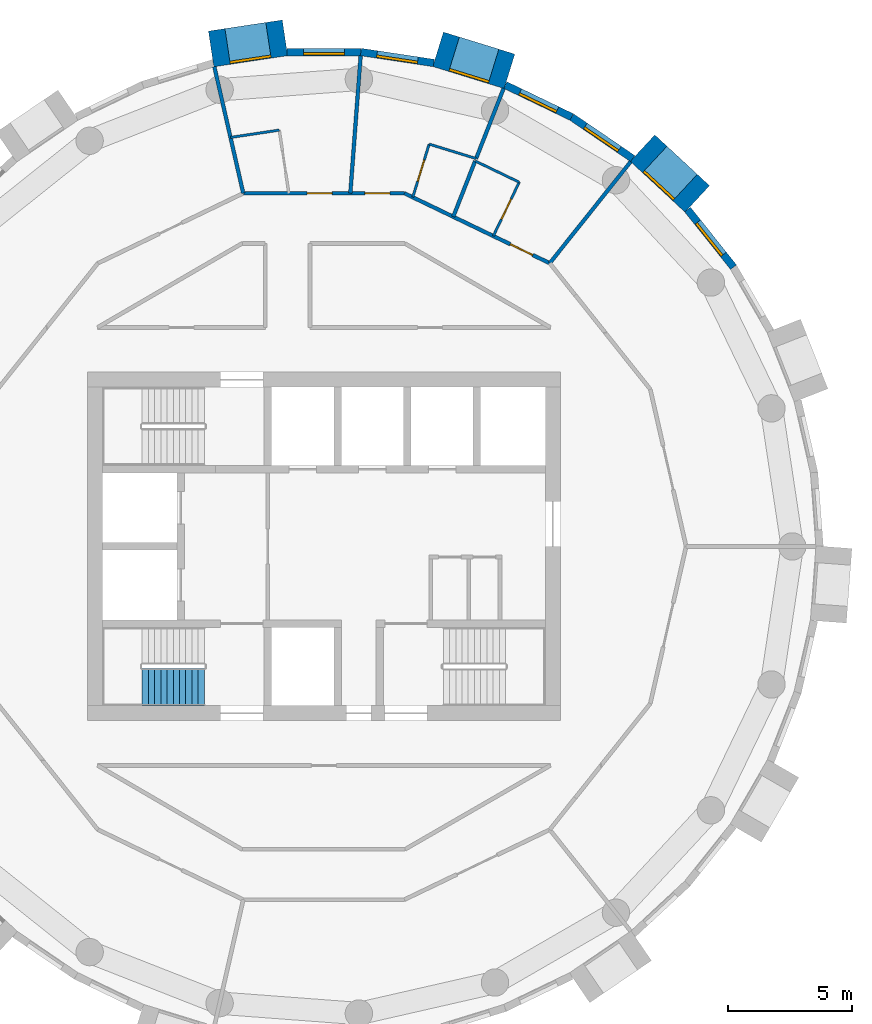
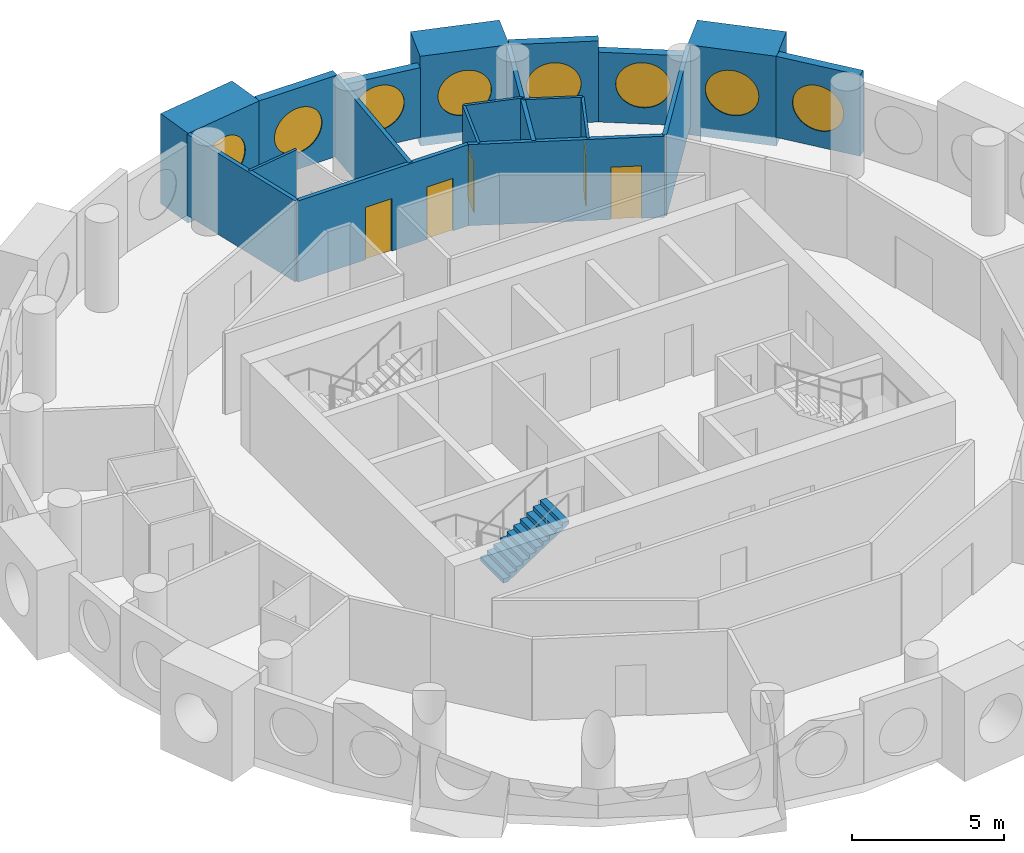
# One storey, part 10 of 12: 20 walls, 8 windows, 5 doors, 1 stair flight, 13 openings, 1 element without a shape of its own.
"""IFC4 building model written with IfcOpenShell, lengths in metres."""

from ifc_helpers import new_model, si_unit, direction, frame, frame_2d, origin, origin_2d, place, context, subcontext, project, spatial, polyline, rectangle, circle, outline, extrude, material, layer, layer_set, type_object, element, fill, aggregate, save


model = new_model("IFC4")

# Units and contexts
model_context = context("Model", 3, precision=1e-05, world=origin(), true_north=direction((0.0, 1.0)))
body_context = subcontext(model_context, "Body", "Model", "MODEL_VIEW")
ifc_project = project(units=[si_unit("LENGTHUNIT", "METRE"), si_unit("AREAUNIT", "SQUARE_METRE"), si_unit("VOLUMEUNIT", "CUBIC_METRE"), si_unit("PLANEANGLEUNIT", "RADIAN"), si_unit("MASSUNIT", "GRAM", prefix="KILO")], contexts=[model_context])

# Site, building, storey
site_placement = place(None, origin())
site = spatial("IfcSite", under=ifc_project, at=site_placement, CompositionType="ELEMENT")
building_placement = place(site_placement, origin())
building = spatial("IfcBuilding", under=site, at=building_placement, Name="Tracery Tower", CompositionType="ELEMENT")
storey_placement = place(building_placement, frame((0.0, 0.0, 249.0)))
storey = spatial("IfcBuildingStorey", under=building, at=storey_placement, Name="L64", CompositionType="ELEMENT", Elevation=249.0)

# Wall, opening, window
ifc_material_1 = material(Name="Precast concrete C50/60", Category="concrete")
ifc_layer_1 = layer(ifc_material_1, 1.449951171875)
ifc_layer_set_1 = layer_set([ifc_layer_1], Name="Deep-set bay unit 3000 x 3600, slab edge 350")
wall_type_1 = type_object("IfcWallType", Name="Deep-set bay unit 3000 x 3600, slab edge 350", PredefinedType="ELEMENTEDWALL", material=ifc_layer_set_1)
wall_1_placement = place(storey_placement, frame((15.0029296875, 13.964111328125, -0.35009765625), z_axis=(0.0, 0.0, 1.0), x_axis=(-0.733022439167, 0.680204457261, 0.0)))
wall_1 = element("IfcWall", 1, at=wall_1_placement, inside=storey, type_object=wall_type_1, Name="Deep-set bay unit 6 at L64", PredefinedType="ELEMENTEDWALL", context=body_context, shape_type="SweptSolid", body=[
    extrude(rectangle(XDim=2.999755859375, YDim=1.449951171875, at=frame_2d((1.5, 0.0))), origin(), (0.0, 0.0, 1.0), 3.60009765625),
])
opening_1_placement = place(wall_1_placement, frame((1.5, 0.0, 1.89990234375)))
opening_1 = element("IfcOpeningElement", 2, at=opening_1_placement, cuts=wall_1, Name="Opening WN1", PredefinedType="OPENING", context=body_context, shape_type="SweptSolid", body=[
    extrude(circle(Radius=0.9000244140625, at=origin_2d()), frame((0.0, 0.73486328125, 0.0), z_axis=(0.0, -1.0, 0.0), x_axis=(1.0, 0.0, 0.0)), (0.0, 0.0, 1.0), 1.469970703125),
])
ifc_material_2 = material(Name="Aluminium frame with tinted double glazing", Category="aluminium")
window_type = type_object("IfcWindowType", Name="Round window 1800", PartitioningType="SINGLE_PANEL", PredefinedType="WINDOW", material=ifc_material_2)
window_1_placement = place(opening_1_placement, origin())
window_1 = element("IfcWindow", 3, at=window_1_placement, inside=storey, type_object=window_type, Name="Round window 6 at L64", OverallHeight=1.800048828125, OverallWidth=1.800048828125, PartitioningType="SINGLE_PANEL", PredefinedType="WINDOW", context=body_context, shape_type="SweptSolid", body=[
    extrude(circle(Radius=0.9000244140625, at=origin_2d()), frame((0.0, 0.69482421875, 0.0), z_axis=(0.0, -1.0, 0.0), x_axis=(1.0, 0.0, 0.0)), (0.0, 0.0, 1.0), 0.10009765625),
])
fill(opening_1, window_1)

wall_2_placement = place(storey_placement, frame((7.45849609375, 19.0908203125, -0.35009765625), z_axis=(0.0, 0.0, 1.0), x_axis=(-0.955571139978, 0.294760574774, 0.0)))
wall_2 = element("IfcWall", 4, at=wall_2_placement, inside=storey, type_object=wall_type_1, Name="Deep-set bay unit 9 at L64", PredefinedType="ELEMENTEDWALL", context=body_context, shape_type="SweptSolid", body=[
    extrude(rectangle(XDim=3.0, YDim=1.449951171875, at=frame_2d((1.5, 0.0))), origin(), (0.0, 0.0, 1.0), 3.60009765625),
])
opening_2_placement = place(wall_2_placement, frame((1.5, 0.0, 1.89990234375)))
opening_2 = element("IfcOpeningElement", 5, at=opening_2_placement, cuts=wall_2, Name="Opening WN1", PredefinedType="OPENING", context=body_context, shape_type="SweptSolid", body=[
    extrude(circle(Radius=0.9000244140625, at=origin_2d()), frame((0.0, 0.73486328125, 0.0), z_axis=(0.0, -1.0, 0.0), x_axis=(1.0, 0.0, 0.0)), (0.0, 0.0, 1.0), 1.469970703125),
])
window_2_placement = place(opening_2_placement, origin())
window_2 = element("IfcWindow", 6, at=window_2_placement, inside=storey, type_object=window_type, Name="Round window 9 at L64", OverallHeight=1.800048828125, OverallWidth=1.800048828125, PartitioningType="SINGLE_PANEL", PredefinedType="WINDOW", context=body_context, shape_type="SweptSolid", body=[
    extrude(circle(Radius=0.9000244140625, at=origin_2d()), frame((0.0, 0.69482421875, 0.0), z_axis=(0.0, -1.0, 0.0), x_axis=(1.0, 0.0, 0.0)), (0.0, 0.0, 1.0), 0.10009765625),
])
fill(opening_2, window_2)

wall_3_placement = place(storey_placement, frame((-1.563232421875, 20.436279296875, -0.35009765625), z_axis=(0.0, 0.0, 1.0), x_axis=(-0.988836445254, -0.149004981587, 0.0)))
wall_3 = element("IfcWall", 7, at=wall_3_placement, inside=storey, type_object=wall_type_1, Name="Deep-set bay unit 12 at L64", PredefinedType="ELEMENTEDWALL", context=body_context, shape_type="SweptSolid", body=[
    extrude(rectangle(XDim=3.0, YDim=1.449951171875, at=frame_2d((1.5, 0.0))), origin(), (0.0, 0.0, 1.0), 3.60009765625),
])
opening_3_placement = place(wall_3_placement, frame((1.5, 0.0, 1.89990234375)))
opening_3 = element("IfcOpeningElement", 8, at=opening_3_placement, cuts=wall_3, Name="Opening WN1", PredefinedType="OPENING", context=body_context, shape_type="SweptSolid", body=[
    extrude(circle(Radius=0.9000244140625, at=origin_2d()), frame((0.0, 0.73486328125, 0.0), z_axis=(0.0, -1.0, 0.0), x_axis=(1.0, 0.0, 0.0)), (0.0, 0.0, 1.0), 1.469970703125),
])
window_3_placement = place(opening_3_placement, origin())
window_3 = element("IfcWindow", 9, at=window_3_placement, inside=storey, type_object=window_type, Name="Round window 12 at L64", OverallHeight=1.800048828125, OverallWidth=1.800048828125, PartitioningType="SINGLE_PANEL", PredefinedType="WINDOW", context=body_context, shape_type="SweptSolid", body=[
    extrude(circle(Radius=0.9000244140625, at=origin_2d()), frame((0.0, 0.69482421875, 0.0), z_axis=(0.0, -1.0, 0.0), x_axis=(1.0, 0.0, 0.0)), (0.0, 0.0, 1.0), 0.10009765625),
])
fill(opening_3, window_3)

ifc_material_3 = material(Name="Precast concrete C50/60", Category="concrete")
ifc_layer_2 = layer(ifc_material_3, 0.300048828125)
ifc_layer_set_2 = layer_set([ifc_layer_2], Name="Facade panel 3000 x 2800")
wall_type_2 = type_object("IfcWallType", Name="Facade panel 3000 x 2800", PredefinedType="SOLIDWALL", material=ifc_layer_set_2)
wall_4_placement = place(storey_placement, frame((12.408447265625, 15.583984375, 0.0), z_axis=(0.0, 0.0, 1.0), x_axis=(-0.826236061068, 0.563324037646, 0.0)))
wall_4 = element("IfcWall", 10, at=wall_4_placement, inside=storey, type_object=wall_type_2, Name="Facade panel 7 at L64", PredefinedType="SOLIDWALL", context=body_context, shape_type="SweptSolid", body=[
    extrude(rectangle(XDim=2.962158203125, YDim=0.300048828125, at=frame_2d((1.48095703125, 0.0))), origin(), (0.0, 0.0, 1.0), 2.800048828125),
])
opening_4_placement = place(wall_4_placement, frame((1.48095703125, 0.0, 1.5498046875)))
opening_4 = element("IfcOpeningElement", 11, at=opening_4_placement, cuts=wall_4, Name="Opening WN1", PredefinedType="OPENING", context=body_context, shape_type="SweptSolid", body=[
    extrude(circle(Radius=0.9000244140625, at=origin_2d()), frame((0.0, 0.159912109375, 0.0), z_axis=(0.0, -1.0, 0.0), x_axis=(1.0, 0.0, 0.0)), (0.0, 0.0, 1.0), 0.320068359375),
])
window_4_placement = place(opening_4_placement, origin())
window_4 = element("IfcWindow", 12, at=window_4_placement, inside=storey, type_object=window_type, Name="Round window 7 at L64", OverallHeight=1.800048828125, OverallWidth=1.800048828125, PartitioningType="SINGLE_PANEL", PredefinedType="WINDOW", context=body_context, shape_type="SweptSolid", body=[
    extrude(circle(Radius=0.9000244140625, at=origin_2d()), frame((0.0, 0.1201171875, 0.0), z_axis=(0.0, -1.0, 0.0), x_axis=(1.0, 0.0, 0.0)), (0.0, 0.0, 1.0), 0.10009765625),
])
fill(opening_4, window_4)

wall_5_placement = place(storey_placement, frame((4.41796875, 19.424560546875, 0.0), z_axis=(0.0, 0.0, 1.0), x_axis=(-0.988835775663, 0.149009425104, 0.0)))
wall_5 = element("IfcWall", 13, at=wall_5_placement, inside=storey, type_object=wall_type_2, Name="Facade panel 10 at L64", PredefinedType="SOLIDWALL", context=body_context, shape_type="SweptSolid", body=[
    extrude(rectangle(XDim=2.962158203125, YDim=0.300048828125, at=frame_2d((1.48095703125, 0.0))), origin(), (0.0, 0.0, 1.0), 2.800048828125),
])
opening_5_placement = place(wall_5_placement, frame((1.48095703125, 0.0, 1.5498046875)))
opening_5 = element("IfcOpeningElement", 14, at=opening_5_placement, cuts=wall_5, Name="Opening WN1", PredefinedType="OPENING", context=body_context, shape_type="SweptSolid", body=[
    extrude(circle(Radius=0.9000244140625, at=origin_2d()), frame((0.0, 0.159912109375, 0.0), z_axis=(0.0, -1.0, 0.0), x_axis=(1.0, 0.0, 0.0)), (0.0, 0.0, 1.0), 0.320068359375),
])
window_5_placement = place(opening_5_placement, origin())
window_5 = element("IfcWindow", 15, at=window_5_placement, inside=storey, type_object=window_type, Name="Round window 10 at L64", OverallHeight=1.800048828125, OverallWidth=1.800048828125, PartitioningType="SINGLE_PANEL", PredefinedType="WINDOW", context=body_context, shape_type="SweptSolid", body=[
    extrude(circle(Radius=0.9000244140625, at=origin_2d()), frame((0.0, 0.1201171875, 0.0), z_axis=(0.0, -1.0, 0.0), x_axis=(1.0, 0.0, 0.0)), (0.0, 0.0, 1.0), 0.10009765625),
])
fill(opening_5, window_5)

ifc_material_4 = material(Name="Precast concrete C50/60", Category="concrete")
ifc_layer_3 = layer(ifc_material_4, 0.300048828125)
ifc_layer_set_3 = layer_set([ifc_layer_3], Name="Facade panel 3000 x 3250")
wall_type_3 = type_object("IfcWallType", Name="Facade panel 3000 x 3250", PredefinedType="SOLIDWALL", material=ifc_layer_set_3)
wall_6_placement = place(storey_placement, frame((16.460205078125, 11.222412109375, 0.0), z_axis=(0.0, 0.0, 1.0), x_axis=(-0.623498236992, 0.781824755599, 0.0)))
wall_6 = element("IfcWall", 16, at=wall_6_placement, inside=storey, type_object=wall_type_3, Name="Facade panel 5 at L64", PredefinedType="SOLIDWALL", context=body_context, shape_type="SweptSolid", body=[
    extrude(rectangle(XDim=2.962158203125, YDim=0.300048828125, at=frame_2d((1.48095703125, 0.0))), origin(), (0.0, 0.0, 1.0), 3.25),
])
opening_6_placement = place(wall_6_placement, frame((1.48095703125, 0.0, 1.5498046875)))
opening_6 = element("IfcOpeningElement", 17, at=opening_6_placement, cuts=wall_6, Name="Opening WN1", PredefinedType="OPENING", context=body_context, shape_type="SweptSolid", body=[
    extrude(circle(Radius=0.9000244140625, at=origin_2d()), frame((0.0, 0.159912109375, 0.0), z_axis=(0.0, -1.0, 0.0), x_axis=(1.0, 0.0, 0.0)), (0.0, 0.0, 1.0), 0.320068359375),
])
window_6_placement = place(opening_6_placement, origin())
window_6 = element("IfcWindow", 18, at=window_6_placement, inside=storey, type_object=window_type, Name="Round window 5 at L64", OverallHeight=1.800048828125, OverallWidth=1.800048828125, PartitioningType="SINGLE_PANEL", PredefinedType="WINDOW", context=body_context, shape_type="SweptSolid", body=[
    extrude(circle(Radius=0.9000244140625, at=origin_2d()), frame((0.0, 0.1201171875, 0.0), z_axis=(0.0, -1.0, 0.0), x_axis=(1.0, 0.0, 0.0)), (0.0, 0.0, 1.0), 0.10009765625),
])
fill(opening_6, window_6)

wall_7_placement = place(storey_placement, frame((9.9609375, 17.252685546875, 0.0), z_axis=(0.0, 0.0, 1.0), x_axis=(-0.90095513435, 0.433912255978, 0.0)))
wall_7 = element("IfcWall", 19, at=wall_7_placement, inside=storey, type_object=wall_type_3, Name="Facade panel 8 at L64", PredefinedType="SOLIDWALL", context=body_context, shape_type="SweptSolid", body=[
    extrude(rectangle(XDim=2.96240234375, YDim=0.300048828125, at=frame_2d((1.481201171875, 0.0))), origin(), (0.0, 0.0, 1.0), 3.25),
])
opening_7_placement = place(wall_7_placement, frame((1.48095703125, 0.0, 1.5498046875)))
opening_7 = element("IfcOpeningElement", 20, at=opening_7_placement, cuts=wall_7, Name="Opening WN1", PredefinedType="OPENING", context=body_context, shape_type="SweptSolid", body=[
    extrude(circle(Radius=0.9000244140625, at=origin_2d()), frame((0.0, 0.159912109375, 0.0), z_axis=(0.0, -1.0, 0.0), x_axis=(1.0, 0.0, 0.0)), (0.0, 0.0, 1.0), 0.320068359375),
])
window_7_placement = place(opening_7_placement, origin())
window_7 = element("IfcWindow", 21, at=window_7_placement, inside=storey, type_object=window_type, Name="Round window 8 at L64", OverallHeight=1.800048828125, OverallWidth=1.800048828125, PartitioningType="SINGLE_PANEL", PredefinedType="WINDOW", context=body_context, shape_type="SweptSolid", body=[
    extrude(circle(Radius=0.9000244140625, at=origin_2d()), frame((0.0, 0.1201171875, 0.0), z_axis=(0.0, -1.0, 0.0), x_axis=(1.0, 0.0, 0.0)), (0.0, 0.0, 1.0), 0.10009765625),
])
fill(opening_7, window_7)

wall_8_placement = place(storey_placement, frame((1.48876953125, 19.865966796875, 0.0), z_axis=(0.0, 0.0, 1.0), x_axis=(-1.0, 0.0, 0.0)))
wall_8 = element("IfcWall", 22, at=wall_8_placement, inside=storey, type_object=wall_type_3, Name="Facade panel 11 at L64", PredefinedType="SOLIDWALL", context=body_context, shape_type="SweptSolid", body=[
    extrude(rectangle(XDim=2.962158203125, YDim=0.300048828125, at=frame_2d((1.48095703125, 0.0))), origin(), (0.0, 0.0, 1.0), 3.25),
])
opening_8_placement = place(wall_8_placement, frame((1.48095703125, 0.0, 1.5498046875)))
opening_8 = element("IfcOpeningElement", 23, at=opening_8_placement, cuts=wall_8, Name="Opening WN1", PredefinedType="OPENING", context=body_context, shape_type="SweptSolid", body=[
    extrude(circle(Radius=0.9000244140625, at=origin_2d()), frame((0.0, 0.159912109375, 0.0), z_axis=(0.0, -1.0, 0.0), x_axis=(1.0, 0.0, 0.0)), (0.0, 0.0, 1.0), 0.320068359375),
])
window_8_placement = place(opening_8_placement, origin())
window_8 = element("IfcWindow", 24, at=window_8_placement, inside=storey, type_object=window_type, Name="Round window 11 at L64", OverallHeight=1.800048828125, OverallWidth=1.800048828125, PartitioningType="SINGLE_PANEL", PredefinedType="WINDOW", context=body_context, shape_type="SweptSolid", body=[
    extrude(circle(Radius=0.9000244140625, at=origin_2d()), frame((0.0, 0.1201171875, 0.0), z_axis=(0.0, -1.0, 0.0), x_axis=(1.0, 0.0, 0.0)), (0.0, 0.0, 1.0), 0.10009765625),
])
fill(opening_8, window_8)

# Wall, opening, door
ifc_material_5 = material(Name="Plasterboard on steel studs", Category="steel")
ifc_layer_4 = layer(ifc_material_5, 0.10009765625)
ifc_layer_set_4 = layer_set([ifc_layer_4], Name="Partition 100 wet wall")
wall_type_4 = type_object("IfcWallType", Name="Partition 100 wet wall", PredefinedType="PARTITIONING", material=ifc_layer_set_4)
wall_9_placement = place(storey_placement, frame((6.80908203125, 12.472900390625, 0.0), z_axis=(0.0, 0.0, 1.0), x_axis=(0.433815618773, 0.901001669759, 0.0)))
wall_9 = element("IfcWall", 25, at=wall_9_placement, inside=storey, type_object=wall_type_4, Name="Wet wall RC2-045", PredefinedType="PARTITIONING", context=body_context, shape_type="SweptSolid", body=[
    extrude(rectangle(XDim=2.399658203125, YDim=0.10009765625, at=frame_2d((1.19970703125, 0.0))), origin(), (0.0, 0.0, 1.0), 3.25),
])
opening_9_placement = place(wall_9_placement, frame((0.75, 0.0, 0.0)))
opening_9 = element("IfcOpeningElement", 26, at=opening_9_placement, cuts=wall_9, Name="Opening RC2-05", PredefinedType="OPENING", context=body_context, shape_type="SweptSolid", body=[
    extrude(rectangle(XDim=0.89990234375, YDim=2.0400390625, at=frame_2d((0.449951171875, 1.02001953125))), frame((0.0, 0.050048828125, 0.0), z_axis=(0.0, -1.0, 0.0), x_axis=(1.0, 0.0, 0.0)), (0.0, 0.0, 1.0), 0.10009765625),
])
ifc_material_6 = material(Name="Timber door leaf", Category="wood")
door_type_1 = type_object("IfcDoorType", Name="Door en-suite 900", OperationType="NOTDEFINED", PredefinedType="DOOR", material=ifc_material_6)
door_1_placement = place(opening_9_placement, origin())
door_1 = element("IfcDoor", 27, at=door_1_placement, inside=storey, type_object=door_type_1, Name="En-suite door RC2-05", OperationType="SINGLE_SWING_RIGHT", OverallHeight=2.0400390625, OverallWidth=0.89990234375, PredefinedType="DOOR", context=body_context, shape_type="SweptSolid", body=[
    extrude(rectangle(XDim=0.89990234375, YDim=2.0400390625, at=frame_2d((0.449951171875, 1.02001953125))), frame((0.0, 0.02490234375, 0.0), z_axis=(0.0, -1.0, 0.0), x_axis=(1.0, 0.0, 0.0)), (0.0, 0.0, 1.0), 0.050048828125),
])
fill(opening_9, door_1)

# Walls
wall_10_placement = place(storey_placement, frame((6.0791015625, 15.488037109375, 0.0), z_axis=(0.0, 0.0, 1.0), x_axis=(0.900936932599, -0.433950047216, 0.0)))
element("IfcWall", 28, at=wall_10_placement, inside=storey, type_object=wall_type_4, Name="Wet wall RC2-046", PredefinedType="PARTITIONING", context=body_context, shape_type="SweptSolid", body=[
    extrude(rectangle(XDim=1.9658203125, YDim=0.10009765625, at=frame_2d((0.98291015625, 0.0))), origin(), (0.0, 0.0, 1.0), 3.25),
])
wall_11_placement = place(storey_placement, frame((4.23095703125, 16.166015625, 0.0), z_axis=(0.0, 0.0, 1.0), x_axis=(0.955671951668, -0.294433559219, 0.0)))
element("IfcWall", 29, at=wall_11_placement, inside=storey, type_object=wall_type_4, Name="Wet wall RC2-049", PredefinedType="PARTITIONING", context=body_context, shape_type="SweptSolid", body=[
    extrude(rectangle(XDim=1.973388671875, YDim=0.10009765625, at=frame_2d((0.98681640625, 0.0))), origin(), (0.0, 0.0, 1.0), 3.25),
])

# Wall, opening, door
wall_12_placement = place(storey_placement, frame((3.572021484375, 14.031982421875, 0.0), z_axis=(0.0, 0.0, 1.0), x_axis=(0.295030507093, 0.955487833457, 0.0)))
wall_12 = element("IfcWall", 30, at=wall_12_placement, inside=storey, type_object=wall_type_4, Name="Wet wall RC2-050", PredefinedType="PARTITIONING", context=body_context, shape_type="SweptSolid", body=[
    extrude(rectangle(XDim=2.2333984375, YDim=0.10009765625, at=frame_2d((1.11669921875, 0.0))), origin(), (0.0, 0.0, 1.0), 3.25),
])
opening_10_placement = place(wall_12_placement, frame((0.66650390625, 0.0, 0.0)))
opening_10 = element("IfcOpeningElement", 31, at=opening_10_placement, cuts=wall_12, Name="Opening RC2-07", PredefinedType="OPENING", context=body_context, shape_type="SweptSolid", body=[
    extrude(rectangle(XDim=0.89990234375, YDim=2.0400390625, at=frame_2d((0.449951171875, 1.02001953125))), frame((0.0, 0.050048828125, 0.0), z_axis=(0.0, -1.0, 0.0), x_axis=(1.0, 0.0, 0.0)), (0.0, 0.0, 1.0), 0.10009765625),
])
door_2_placement = place(opening_10_placement, origin())
door_2 = element("IfcDoor", 32, at=door_2_placement, inside=storey, type_object=door_type_1, Name="En-suite door RC2-07", OperationType="SINGLE_SWING_RIGHT", OverallHeight=2.0400390625, OverallWidth=0.89990234375, PredefinedType="DOOR", context=body_context, shape_type="SweptSolid", body=[
    extrude(rectangle(XDim=0.89990234375, YDim=2.0400390625, at=frame_2d((0.449951171875, 1.02001953125))), frame((0.0, 0.02490234375, 0.0), z_axis=(0.0, -1.0, 0.0), x_axis=(1.0, 0.0, 0.0)), (0.0, 0.0, 1.0), 0.050048828125),
])
fill(opening_10, door_2)

# Walls
wall_13_placement = place(storey_placement, frame((-3.7509765625, 16.43408203125, 0.0), z_axis=(0.0, 0.0, 1.0), x_axis=(0.988867580828, 0.148798210967, 0.0)))
element("IfcWall", 33, at=wall_13_placement, inside=storey, type_object=wall_type_4, Name="Wet wall RC2-053", PredefinedType="PARTITIONING", context=body_context, shape_type="SweptSolid", body=[
    extrude(rectangle(XDim=1.98193359375, YDim=0.10009765625, at=frame_2d((0.990966796875, 0.0))), origin(), (0.0, 0.0, 1.0), 3.25),
])
ifc_material_7 = material(Name="Plasterboard on steel studs", Category="steel")
ifc_layer_5 = layer(ifc_material_7, 0.14990234375)
ifc_layer_set_5 = layer_set([ifc_layer_5], Name="Partition 150 acoustic unit wall")
wall_type_5 = type_object("IfcWallType", Name="Partition 150 acoustic unit wall", PredefinedType="PARTITIONING", material=ifc_layer_set_5)
wall_14_placement = place(storey_placement, frame((9.075927734375, 11.381103515625, 0.0), z_axis=(0.0, 0.0, 1.0), x_axis=(0.623460949534, 0.781854490558, 0.0)))
element("IfcWall", 34, at=wall_14_placement, inside=storey, type_object=wall_type_5, Name="Unit wall RC2-043", PredefinedType="PARTITIONING", context=body_context, shape_type="SweptSolid", body=[
    extrude(rectangle(XDim=5.21435546875, YDim=0.14990234375, at=frame_2d((2.607177734375, 0.0))), origin(), (0.0, 0.0, 1.0), 3.25),
])
wall_15_placement = place(storey_placement, frame((6.115966796875, 15.5810546875, 0.0), z_axis=(0.0, 0.0, 1.0), x_axis=(0.364942529397, 0.931030047978, 0.0)))
element("IfcWall", 35, at=wall_15_placement, inside=storey, type_object=wall_type_5, Name="Unit wall RC2-047", PredefinedType="PARTITIONING", context=body_context, shape_type="SweptSolid", body=[
    extrude(rectangle(XDim=3.033203125, YDim=0.14990234375, at=frame_2d((1.5166015625, 0.0))), origin(), (0.0, 0.0, 1.0), 3.25),
])
wall_16_placement = place(storey_placement, frame((5.198974609375, 13.248046875, 0.0), z_axis=(0.0, 0.0, 1.0), x_axis=(0.365699450144, 0.930732997247, 0.0)))
element("IfcWall", 36, at=wall_16_placement, inside=storey, type_object=wall_type_5, Name="Unit wall RC2-048", PredefinedType="PARTITIONING", context=body_context, shape_type="SweptSolid", body=[
    extrude(rectangle(XDim=2.40673828125, YDim=0.14990234375, at=frame_2d((1.203369140625, 0.0))), origin(), (0.0, 0.0, 1.0), 3.25),
])
wall_17_placement = place(storey_placement, frame((1.06396484375, 14.19189453125, 0.0), z_axis=(0.0, 0.0, 1.0), x_axis=(0.074745027699, 0.997202677912, 0.0)))
element("IfcWall", 37, at=wall_17_placement, inside=storey, type_object=wall_type_5, Name="Unit wall RC2-051", PredefinedType="PARTITIONING", context=body_context, shape_type="SweptSolid", body=[
    extrude(rectangle(XDim=5.53955078125, YDim=0.14990234375, at=frame_2d((2.769775390625, 0.0))), origin(), (0.0, 0.0, 1.0), 3.25),
])
wall_18_placement = place(storey_placement, frame((-4.39990234375, 19.27587890625, 0.0), z_axis=(0.0, 0.0, 1.0), x_axis=(0.222612505682, -0.974907007008, 0.0)))
element("IfcWall", 38, at=wall_18_placement, inside=storey, type_object=wall_type_5, Name="Unit wall RC2-054", PredefinedType="PARTITIONING", context=body_context, shape_type="SweptSolid", body=[
    extrude(rectangle(XDim=5.21484375, YDim=0.14990234375, at=frame_2d((2.607421875, 0.0))), origin(), (0.0, 0.0, 1.0), 3.25),
])

# Wall, opening, door
ifc_material_8 = material(Name="Plasterboard on steel studs", Category="steel")
ifc_layer_6 = layer(ifc_material_8, 0.14990234375)
ifc_layer_set_6 = layer_set([ifc_layer_6], Name="Partition 150 corridor wall")
wall_type_6 = type_object("IfcWallType", Name="Partition 150 corridor wall", PredefinedType="PARTITIONING", material=ifc_layer_set_6)
wall_19_placement = place(storey_placement, frame((3.23828125, 14.190673828125, 0.0), z_axis=(0.0, 0.0, 1.0), x_axis=(0.901070942113, -0.433671716024, 0.0)))
wall_19 = element("IfcWall", 39, at=wall_19_placement, inside=storey, type_object=wall_type_6, Name="Corridor wall RC2-030", PredefinedType="PARTITIONING", context=body_context, shape_type="SweptSolid", body=[
    extrude(rectangle(XDim=6.478515625, YDim=0.14990234375, at=frame_2d((3.2392578125, 0.0))), origin(), (0.0, 0.0, 1.0), 3.25),
])
opening_11_placement = place(wall_19_placement, frame((4.71826171875, 0.0, 0.0)))
opening_11 = element("IfcOpeningElement", 40, at=opening_11_placement, cuts=wall_19, Name="Opening RC2-06", PredefinedType="OPENING", context=body_context, shape_type="SweptSolid", body=[
    extrude(rectangle(XDim=1.0, YDim=2.10009765625, at=frame_2d((0.5, 1.050048828125))), frame((0.0, 0.074951171875, 0.0), z_axis=(0.0, -1.0, 0.0), x_axis=(1.0, 0.0, 0.0)), (0.0, 0.0, 1.0), 0.14990234375),
])
ifc_material_9 = material(Name="Timber door leaf", Category="wood")
door_type_2 = type_object("IfcDoorType", Name="Door unit entrance 1000", OperationType="NOTDEFINED", PredefinedType="DOOR", material=ifc_material_9)
door_3_placement = place(opening_11_placement, origin())
door_3 = element("IfcDoor", 41, at=door_3_placement, inside=storey, type_object=door_type_2, Name="Unit entrance door RC2-06", OperationType="SINGLE_SWING_LEFT", OverallHeight=2.10009765625, OverallWidth=1.0, PredefinedType="DOOR", context=body_context, shape_type="SweptSolid", body=[
    extrude(rectangle(XDim=1.0, YDim=2.10009765625, at=frame_2d((0.5, 1.050048828125))), frame((0.0, 0.02490234375, 0.0), z_axis=(0.0, -1.0, 0.0), x_axis=(1.0, 0.0, 0.0)), (0.0, 0.0, 1.0), 0.050048828125),
])
fill(opening_11, door_3)

# Wall, openings, doors
wall_20_placement = place(storey_placement, frame((-3.239013671875, 14.19189453125, 0.0), z_axis=(0.0, 0.0, 1.0), x_axis=(1.0, 0.0, 0.0)))
wall_20 = element("IfcWall", 42, at=wall_20_placement, inside=storey, type_object=wall_type_6, Name="Corridor wall RC2-031", PredefinedType="PARTITIONING", context=body_context, shape_type="SweptSolid", body=[
    extrude(rectangle(XDim=6.47802734375, YDim=0.14990234375, at=frame_2d((3.239013671875, 0.0))), origin(), (0.0, 0.0, 1.0), 3.25),
])
opening_12_placement = place(wall_20_placement, frame((4.887939453125, 0.0, 0.0)))
opening_12 = element("IfcOpeningElement", 43, at=opening_12_placement, cuts=wall_20, Name="Opening RC2-08", PredefinedType="OPENING", context=body_context, shape_type="SweptSolid", body=[
    extrude(rectangle(XDim=1.0, YDim=2.10009765625, at=frame_2d((0.5, 1.050048828125))), frame((0.0, 0.074951171875, 0.0), z_axis=(0.0, -1.0, 0.0), x_axis=(1.0, 0.0, 0.0)), (0.0, 0.0, 1.0), 0.14990234375),
])
opening_13_placement = place(wall_20_placement, frame((2.56689453125, 0.0, 0.0)))
opening_13 = element("IfcOpeningElement", 44, at=opening_13_placement, cuts=wall_20, Name="Opening RC2-10", PredefinedType="OPENING", context=body_context, shape_type="SweptSolid", body=[
    extrude(rectangle(XDim=1.0, YDim=2.10009765625, at=frame_2d((0.5, 1.050048828125))), frame((0.0, 0.074951171875, 0.0), z_axis=(0.0, -1.0, 0.0), x_axis=(1.0, 0.0, 0.0)), (0.0, 0.0, 1.0), 0.14990234375),
])
door_4_placement = place(opening_12_placement, origin())
door_4 = element("IfcDoor", 45, at=door_4_placement, inside=storey, type_object=door_type_2, Name="Unit entrance door RC2-08", OperationType="SINGLE_SWING_LEFT", OverallHeight=2.10009765625, OverallWidth=1.0, PredefinedType="DOOR", context=body_context, shape_type="SweptSolid", body=[
    extrude(rectangle(XDim=1.0, YDim=2.10009765625, at=frame_2d((0.5, 1.050048828125))), frame((0.0, 0.02490234375, 0.0), z_axis=(0.0, -1.0, 0.0), x_axis=(1.0, 0.0, 0.0)), (0.0, 0.0, 1.0), 0.050048828125),
])
fill(opening_12, door_4)
door_5_placement = place(opening_13_placement, origin())
door_5 = element("IfcDoor", 46, at=door_5_placement, inside=storey, type_object=door_type_2, Name="Unit entrance door RC2-10", OperationType="SINGLE_SWING_RIGHT", OverallHeight=2.10009765625, OverallWidth=1.0, PredefinedType="DOOR", context=body_context, shape_type="SweptSolid", body=[
    extrude(rectangle(XDim=1.0, YDim=2.10009765625, at=frame_2d((0.5, 1.050048828125))), frame((0.0, 0.02490234375, 0.0), z_axis=(0.0, -1.0, 0.0), x_axis=(1.0, 0.0, 0.0)), (0.0, 0.0, 1.0), 0.050048828125),
])
fill(opening_13, door_5)

# Stair, stair flight
ifc_material_10 = material(Name="Concrete C32/40", Category="concrete")
stair_type = type_object("IfcStairType", Name="Core stair 22 risers", PredefinedType="HALF_TURN_STAIR", material=ifc_material_10)
stair_placement = place(storey_placement, origin())
stair = element("IfcStair", 47, at=stair_placement, inside=storey, type_object=stair_type, Name="L64 stair ST1", PredefinedType="HALF_TURN_STAIR")
ifc_material_11 = material(Name="Concrete C32/40", Category="concrete")
stair_flight_type = type_object("IfcStairFlightType", Name="Core stair flight 11 risers", PredefinedType="STRAIGHT", material=ifc_material_11)
stair_flight_placement = place(storey_placement, frame((-7.300048828125, -5.64990234375, 1.800048828125), z_axis=(0.0, 0.0, 1.0), x_axis=(1.0, 0.0, 0.0)))
stair_flight = element("IfcStairFlight", 48, at=stair_flight_placement, type_object=stair_flight_type, Name="ST1 flight 2", NumberOfRisers=11, NumberOfTreads=10, PredefinedType="STRAIGHT", RiserHeight=0.163636364, TreadLength=0.25, context=body_context, shape_type="SweptSolid", body=[
    extrude(outline(polyline([(0.0, 0.0), (0.0, 0.002685546875), (0.0, 0.00537109375), (0.0, 0.008056640625), (0.0, 0.0107421875), (0.0, 0.013427734375), (0.0, 0.01611328125), (0.0, 0.018798828125), (0.0, 0.021484375), (0.0, 0.024169921875), (0.0, 0.02685546875), (0.0, 0.029541015625), (0.0, 0.0322265625), (0.0, 0.034912109375), (0.0, 0.03759765625), (0.0, 0.040283203125), (0.0, 0.04296875), (0.0, 0.045654296875), (0.0, 0.04833984375), (0.0, 0.051025390625), (0.0, 0.0537109375), (0.0, 0.056396484375), (0.0, 0.05908203125), (0.0, 0.061767578125), (0.0, 0.064453125), (0.0, 0.067138671875), (0.0, 0.06982421875), (0.0, 0.072509765625), (0.0, 0.0751953125), (0.0, 0.077880859375), (0.0, 0.08056640625), (0.0, 0.083251953125), (0.0, 0.0859375), (0.0, 0.088623046875), (0.0, 0.09130859375), (0.0, 0.093994140625), (0.0, 0.0966796875), (0.0, 0.099365234375), (0.0, 0.10205078125), (0.0, 0.104736328125), (0.0, 0.107421875), (0.0, 0.10986328125), (0.0, 0.112548828125), (0.0, 0.115234375), (0.0, 0.117919921875), (0.0, 0.12060546875), (0.0, 0.123291015625), (0.0, 0.1259765625), (0.0, 0.128662109375), (0.0, 0.13134765625), (0.0, 0.134033203125), (0.0, 0.13671875), (0.0, 0.139404296875), (0.0, 0.14208984375), (0.0, 0.144775390625), (0.0, 0.1474609375), (0.0, 0.150146484375), (0.0, 0.15283203125), (0.0, 0.155517578125), (0.0, 0.158203125), (0.0, 0.160888671875), (0.0, 0.16357421875), (0.25, 0.16357421875), (0.25, 0.327392578125), (0.5, 0.327392578125), (0.5, 0.490966796875), (0.75, 0.490966796875), (0.75, 0.654541015625), (1.0, 0.654541015625), (1.0, 0.818115234375), (1.25, 0.818115234375), (1.25, 0.98193359375), (1.5, 0.98193359375), (1.5, 1.1455078125), (1.75, 1.1455078125), (1.75, 1.30908203125), (2.0, 1.30908203125), (2.0, 1.47265625), (2.25, 1.47265625), (2.25, 1.636474609375), (2.5, 1.636474609375), (2.5, 1.634521484375), (2.5, 1.63232421875), (2.5, 1.63037109375), (2.5, 1.62841796875), (2.5, 1.62646484375), (2.5, 1.62451171875), (2.5, 1.62255859375), (2.5, 1.62060546875), (2.5, 1.61865234375), (2.5, 1.61669921875), (2.5, 1.61474609375), (2.5, 1.61279296875), (2.5, 1.61083984375), (2.5, 1.60888671875), (2.5, 1.60693359375), (2.5, 1.60498046875), (2.5, 1.60302734375), (2.5, 1.60107421875), (2.5, 1.59912109375), (2.5, 1.59716796875), (2.5, 1.59521484375), (2.5, 1.59326171875), (2.5, 1.59130859375), (2.5, 1.58935546875), (2.5, 1.58740234375), (2.5, 1.58544921875), (2.5, 1.58349609375), (2.5, 1.58154296875), (2.5, 1.57958984375), (2.5, 1.57763671875), (2.5, 1.57568359375), (2.5, 1.573486328125), (2.5, 1.571533203125), (2.5, 1.569580078125), (2.5, 1.567626953125), (2.5, 1.565673828125), (2.5, 1.563720703125), (2.5, 1.561767578125), (2.5, 1.559814453125), (2.5, 1.557861328125), (2.5, 1.555908203125), (2.5, 1.553955078125), (2.5, 1.552001953125), (2.5, 1.550048828125), (2.5, 1.548095703125), (2.5, 1.546142578125), (2.5, 1.544189453125), (2.5, 1.542236328125), (2.5, 1.540283203125), (2.5, 1.538330078125), (2.5, 1.536376953125), (2.5, 1.534423828125), (2.5, 1.532470703125), (2.5, 1.530517578125), (2.5, 1.528564453125), (2.5, 1.526611328125), (2.5, 1.524658203125), (2.5, 1.522705078125), (2.5, 1.520751953125), (2.5, 1.518798828125), (2.5, 1.516845703125), (0.182861328125, 0.0), (0.0, 0.0)])), frame((0.0, 0.75, 0.0), z_axis=(0.0, -1.0, 0.0), x_axis=(1.0, 0.0, 0.0)), (0.0, 0.0, 1.0), 1.5),
])
aggregate(stair, [stair_flight])

save(model, "model.ifc")
